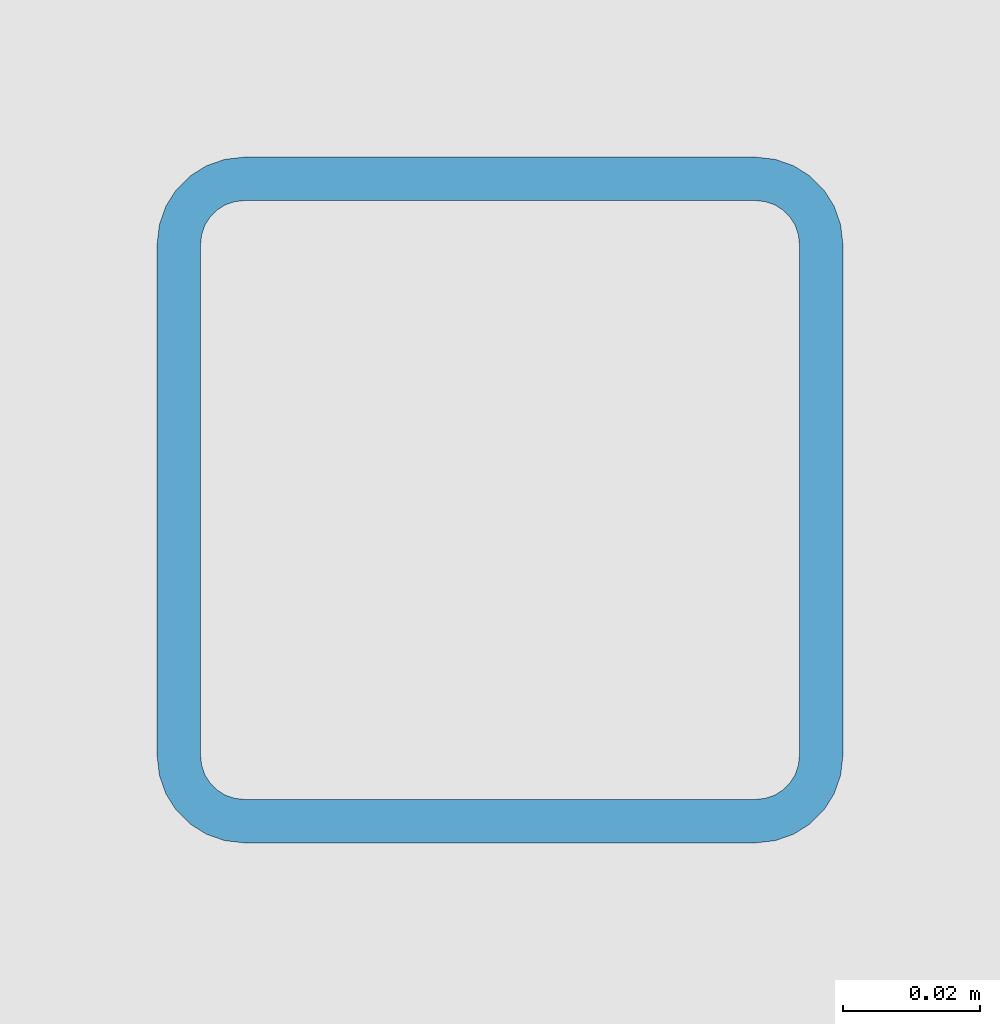
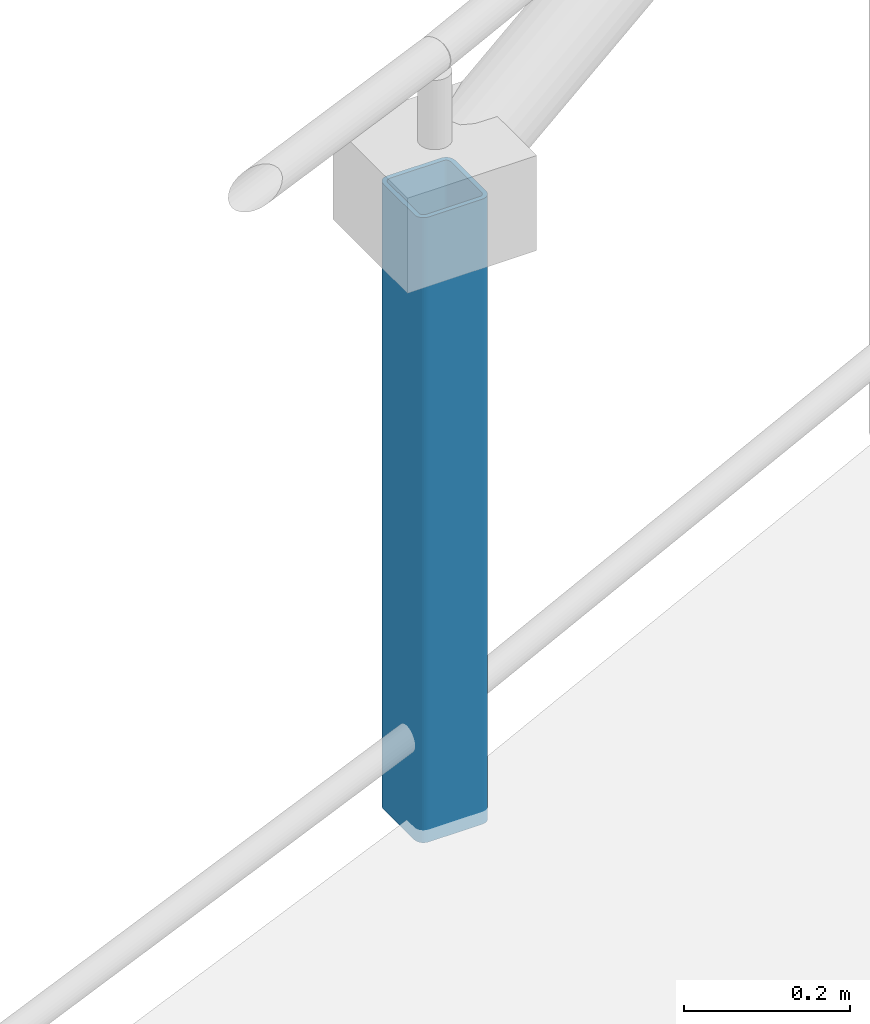
# One storey, part 20 of 58: 1 member.
"""IFC4 building model written with IfcOpenShell, lengths in metres."""

from ifc_helpers import new_model, si_unit, direction, frame, origin, origin_2d, place, context, subcontext, project, spatial, hollow_rectangle, extrude, material, material_profile, profile_set, type_object, element, save


model = new_model("IFC4")

# Units and contexts
model_context = context("Model", 3, precision=1e-05, world=origin(), true_north=direction((0.0, 1.0)))
body_context = subcontext(model_context, "Body", "Model", "MODEL_VIEW")
ifc_project = project(units=[si_unit("LENGTHUNIT", "METRE"), si_unit("AREAUNIT", "SQUARE_METRE"), si_unit("VOLUMEUNIT", "CUBIC_METRE"), si_unit("PLANEANGLEUNIT", "RADIAN"), si_unit("MASSUNIT", "GRAM", prefix="KILO"), si_unit("POWERUNIT", "WATT"), si_unit("THERMODYNAMICTEMPERATUREUNIT", "KELVIN")], contexts=[model_context])

# Site, building, storey
site_placement = place(None, origin())
site = spatial("IfcSite", under=ifc_project, at=site_placement, CompositionType="ELEMENT")
building_placement = place(site_placement, origin())
building = spatial("IfcBuilding", under=site, at=building_placement, Name="Ruvembo Vaulted Housing Court", CompositionType="ELEMENT")
storey_placement = place(building_placement, frame((0.0, 0.0, 20.5)))
storey = spatial("IfcBuildingStorey", under=building, at=storey_placement, Name="L06", CompositionType="ELEMENT", Elevation=20.5)

# Member
ifc_material = material(Name="Steel S355J2", Category="steel")
ifc_material_profile = material_profile(ifc_material, hollow_rectangle(XDim=0.10009765625, YDim=0.10009765625, WallThickness=0.00634765625, InnerFilletRadius=0.00634765625, OuterFilletRadius=0.0126953125, at=origin_2d()), Name="SHS 100x100x6.3")
ifc_profile_set = profile_set([ifc_material_profile], Name="Steel S355J2")
member_type = type_object("IfcMemberType", Name="MEM-FRM-SHS100", PredefinedType="STRUT", material=ifc_profile_set)
member_placement = place(storey_placement, frame((87.362548828125, 20.042236328125, -0.02001953125), z_axis=(0.0, 0.0, 1.0), x_axis=(1.0, 0.0, 0.0)))
element("IfcMember", 1, at=member_placement, inside=storey, type_object=member_type, Name="Scoop SC2 L06 Upswept Post 24A", PredefinedType="STRUT", context=body_context, shape_type="SweptSolid", body=[
    extrude(hollow_rectangle(XDim=0.10009765625, YDim=0.10009765625, WallThickness=0.00634765625, InnerFilletRadius=0.00634765625, OuterFilletRadius=0.0126953125, at=origin_2d()), origin(), (0.0, 0.0, 1.0), 0.919921875),
])

save(model, "model.ifc")
